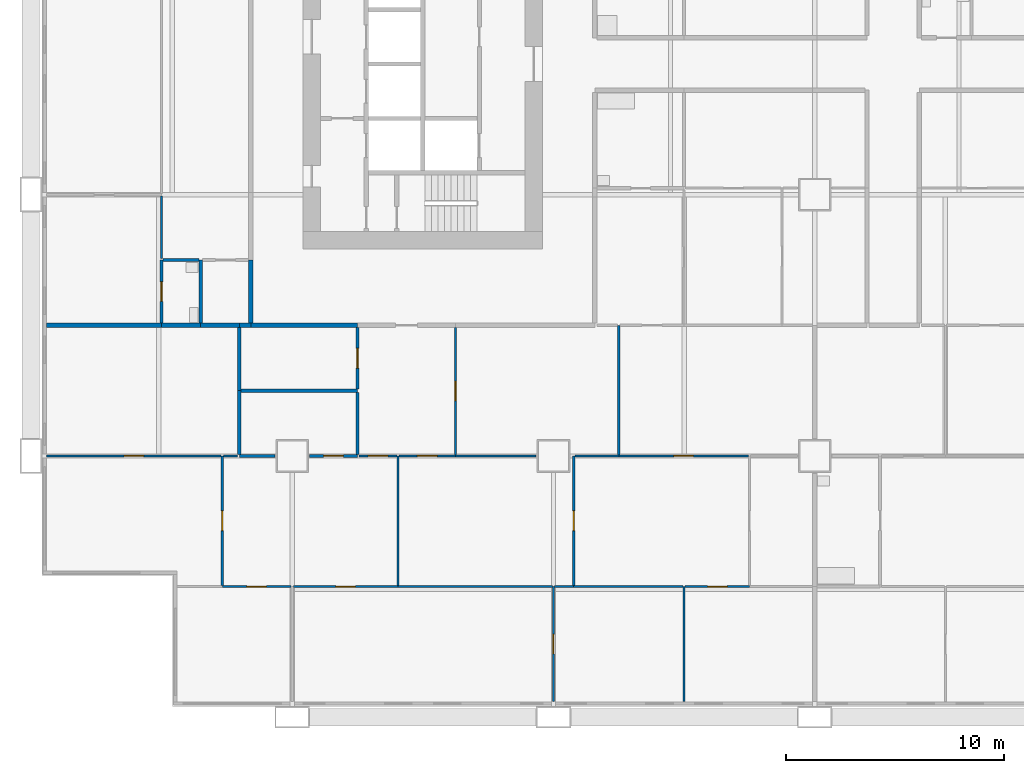
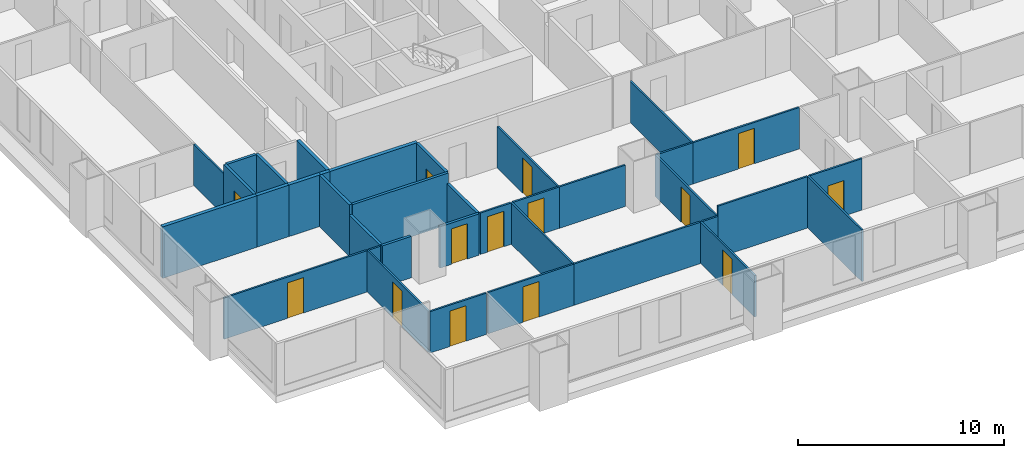
# One storey, part 2 of 14: 37 walls, 14 doors, 14 openings.
"""IFC4 building model written with IfcOpenShell, lengths in metres."""

from ifc_helpers import new_model, si_unit, direction, frame, frame_2d, origin, place, context, subcontext, project, spatial, rectangle, extrude, material, layer, layer_set, type_object, element, fill, save


model = new_model("IFC4")

# Units and contexts
model_context = context("Model", 3, precision=1e-05, world=origin(), true_north=direction((0.0, 1.0)))
body_context = subcontext(model_context, "Body", "Model", "MODEL_VIEW")
ifc_project = project(units=[si_unit("LENGTHUNIT", "METRE"), si_unit("AREAUNIT", "SQUARE_METRE"), si_unit("VOLUMEUNIT", "CUBIC_METRE"), si_unit("PLANEANGLEUNIT", "RADIAN"), si_unit("MASSUNIT", "GRAM", prefix="KILO")], contexts=[model_context])

# Site, building, storey
site_placement = place(None, origin())
site = spatial("IfcSite", under=ifc_project, at=site_placement, CompositionType="ELEMENT")
building_placement = place(site_placement, origin())
building = spatial("IfcBuilding", under=site, at=building_placement, Name="Kitamizu Gate Tower and Museum", CompositionType="ELEMENT")
storey_placement = place(building_placement, frame((0.0, 0.0, 85.199951171875)))
storey = spatial("IfcBuildingStorey", under=building, at=storey_placement, Name="L21", CompositionType="ELEMENT", Elevation=85.199951171875)

# Wall, opening, door
ifc_material_1 = material(Name="Gypsum board on galvanised stud")
ifc_layer_1 = layer(ifc_material_1, 0.10009765625)
ifc_layer_set_1 = layer_set([ifc_layer_1], Name="Gypsum board on galvanised stud")
wall_type_1 = type_object("IfcWallType", Name="Partition 100 NOT RATED", PredefinedType="PARTITIONING", material=ifc_layer_set_1)
wall_1_placement = place(storey_placement, frame((11.949951171875, 6.0, 0.0), z_axis=(0.0, 0.0, 1.0), x_axis=(-1.0, 0.0, 0.0)))
wall_1 = element("IfcWall", 1, at=wall_1_placement, inside=storey, type_object=wall_type_1, Name="Partition L21-003", PredefinedType="PARTITIONING", context=body_context, shape_type="SweptSolid", body=[
    extrude(rectangle(XDim=3.159912109375, YDim=0.10009765625, at=frame_2d((1.580078125, 0.0))), origin(), (0.0, 0.0, 1.0), 2.449951171875),
])
opening_1_placement = place(wall_1_placement, frame((1.1298828125, 0.0, 0.0)))
opening_1 = element("IfcOpeningElement", 2, at=opening_1_placement, cuts=wall_1, Name="Opening L21-004", PredefinedType="OPENING", context=body_context, shape_type="SweptSolid", body=[
    extrude(rectangle(XDim=0.89990234375, YDim=2.10009765625, at=frame_2d((0.449951171875, 1.050048828125))), frame((0.0, 0.06005859375, 0.0), z_axis=(0.0, -1.0, 0.0), x_axis=(1.0, 0.0, 0.0)), (0.0, 0.0, 1.0), 0.1201171875),
])
ifc_material_2 = material(Name="Timber door set", Category="wood")
door_type_1 = type_object("IfcDoorType", Name="Room door 900", OperationType="NOTDEFINED", PredefinedType="DOOR", material=ifc_material_2)
door_1_placement = place(opening_1_placement, origin())
door_1 = element("IfcDoor", 3, at=door_1_placement, inside=storey, type_object=door_type_1, Name="Door L21-004", OperationType="SINGLE_SWING_RIGHT", OverallHeight=2.10009765625, OverallWidth=0.89990234375, PredefinedType="DOOR", context=body_context, shape_type="SweptSolid", body=[
    extrude(rectangle(XDim=0.89990234375, YDim=2.10009765625, at=frame_2d((0.449951171875, 1.050048828125))), frame((0.0, 0.02490234375, 0.0), z_axis=(0.0, -1.0, 0.0), x_axis=(1.0, 0.0, 0.0)), (0.0, 0.0, 1.0), 0.050048828125),
])
fill(opening_1, door_1)

wall_2_placement = place(storey_placement, frame((24.0, 0.719970703125, 0.0), z_axis=(0.0, 0.0, 1.0), x_axis=(0.0, 1.0, 0.0)))
wall_2 = element("IfcWall", 4, at=wall_2_placement, inside=storey, type_object=wall_type_1, Name="Partition L21-004", PredefinedType="PARTITIONING", context=body_context, shape_type="SweptSolid", body=[
    extrude(rectangle(XDim=5.280029296875, YDim=0.10009765625, at=frame_2d((2.64013671875, 0.0))), origin(), (0.0, 0.0, 1.0), 2.449951171875),
])
opening_2_placement = place(wall_2_placement, frame((2.18994140625, 0.0, 0.0)))
opening_2 = element("IfcOpeningElement", 5, at=opening_2_placement, cuts=wall_2, Name="Opening L21-008", PredefinedType="OPENING", context=body_context, shape_type="SweptSolid", body=[
    extrude(rectangle(XDim=0.89990234375, YDim=2.10009765625, at=frame_2d((0.449951171875, 1.050048828125))), frame((0.0, 0.06005859375, 0.0), z_axis=(0.0, -1.0, 0.0), x_axis=(1.0, 0.0, 0.0)), (0.0, 0.0, 1.0), 0.1201171875),
])
door_2_placement = place(opening_2_placement, frame((0.89990234375, 0.0, 0.0), x_axis=(-1.0, 0.0, 0.0)))
door_2 = element("IfcDoor", 6, at=door_2_placement, inside=storey, type_object=door_type_1, Name="Door L21-008", OperationType="SINGLE_SWING_LEFT", OverallHeight=2.10009765625, OverallWidth=0.89990234375, PredefinedType="DOOR", context=body_context, shape_type="SweptSolid", body=[
    extrude(rectangle(XDim=0.89990234375, YDim=2.10009765625, at=frame_2d((0.449951171875, 1.050048828125))), frame((0.0, 0.02490234375, 0.0), z_axis=(0.0, -1.0, 0.0), x_axis=(1.0, 0.0, 0.0)), (0.0, 0.0, 1.0), 0.050048828125),
])
fill(opening_2, door_2)

wall_3_placement = place(storey_placement, frame((16.860107421875, 6.0, 0.0), z_axis=(0.0, 0.0, 1.0), x_axis=(-1.0, 0.0, 0.0)))
wall_3 = element("IfcWall", 7, at=wall_3_placement, inside=storey, type_object=wall_type_1, Name="Partition L21-005", PredefinedType="PARTITIONING", context=body_context, shape_type="SweptSolid", body=[
    extrude(rectangle(XDim=4.81005859375, YDim=0.10009765625, at=frame_2d((2.405029296875, 0.0))), origin(), (0.0, 0.0, 1.0), 2.449951171875),
])
opening_3_placement = place(wall_3_placement, frame((1.955078125, 0.0, 0.0)))
opening_3 = element("IfcOpeningElement", 8, at=opening_3_placement, cuts=wall_3, Name="Opening L21-005", PredefinedType="OPENING", context=body_context, shape_type="SweptSolid", body=[
    extrude(rectangle(XDim=0.89990234375, YDim=2.10009765625, at=frame_2d((0.449951171875, 1.050048828125))), frame((0.0, 0.06005859375, 0.0), z_axis=(0.0, -1.0, 0.0), x_axis=(1.0, 0.0, 0.0)), (0.0, 0.0, 1.0), 0.1201171875),
])
door_3_placement = place(opening_3_placement, frame((0.89990234375, 0.0, 0.0), x_axis=(-1.0, 0.0, 0.0)))
door_3 = element("IfcDoor", 9, at=door_3_placement, inside=storey, type_object=door_type_1, Name="Door L21-005", OperationType="SINGLE_SWING_RIGHT", OverallHeight=2.10009765625, OverallWidth=0.89990234375, PredefinedType="DOOR", context=body_context, shape_type="SweptSolid", body=[
    extrude(rectangle(XDim=0.89990234375, YDim=2.10009765625, at=frame_2d((0.449951171875, 1.050048828125))), frame((0.0, 0.02490234375, 0.0), z_axis=(0.0, -1.0, 0.0), x_axis=(1.0, 0.0, 0.0)), (0.0, 0.0, 1.0), 0.050048828125),
])
fill(opening_3, door_3)

# Walls
wall_4_placement = place(storey_placement, frame((23.949951171875, 6.0, 0.0), z_axis=(0.0, 0.0, 1.0), x_axis=(-1.0, 0.0, 0.0)))
element("IfcWall", 10, at=wall_4_placement, inside=storey, type_object=wall_type_1, Name="Partition L21-006", PredefinedType="PARTITIONING", context=body_context, shape_type="SweptSolid", body=[
    extrude(rectangle(XDim=7.08984375, YDim=0.10009765625, at=frame_2d((3.544921875, 0.0))), origin(), (0.0, 0.0, 1.0), 2.449951171875),
])
wall_5_placement = place(storey_placement, frame((30.0, 0.719970703125, 0.0), z_axis=(0.0, 0.0, 1.0), x_axis=(0.0, 1.0, 0.0)))
element("IfcWall", 11, at=wall_5_placement, inside=storey, type_object=wall_type_1, Name="Partition L21-007", PredefinedType="PARTITIONING", context=body_context, shape_type="SweptSolid", body=[
    extrude(rectangle(XDim=5.280029296875, YDim=0.10009765625, at=frame_2d((2.64013671875, 0.0))), origin(), (0.0, 0.0, 1.0), 3.050048828125),
])
wall_6_placement = place(storey_placement, frame((24.929931640625, 6.0, 0.0), z_axis=(0.0, 0.0, 1.0), x_axis=(-1.0, 0.0, 0.0)))
element("IfcWall", 12, at=wall_6_placement, inside=storey, type_object=wall_type_1, Name="Partition L21-008", PredefinedType="PARTITIONING", context=body_context, shape_type="SweptSolid", body=[
    extrude(rectangle(XDim=0.8798828125, YDim=0.10009765625, at=frame_2d((0.43994140625, 0.0))), origin(), (0.0, 0.0, 1.0), 2.449951171875),
])
wall_7_placement = place(storey_placement, frame((29.949951171875, 6.0, 0.0), z_axis=(0.0, 0.0, 1.0), x_axis=(-1.0, 0.0, 0.0)))
element("IfcWall", 13, at=wall_7_placement, inside=storey, type_object=wall_type_1, Name="Partition L21-009", PredefinedType="PARTITIONING", context=body_context, shape_type="SweptSolid", body=[
    extrude(rectangle(XDim=5.02001953125, YDim=0.10009765625, at=frame_2d((2.510009765625, 0.0))), origin(), (0.0, 0.0, 1.0), 3.050048828125),
])

# Wall, opening, door
wall_8_placement = place(storey_placement, frame((33.0, 6.0, 0.0), z_axis=(0.0, 0.0, 1.0), x_axis=(-1.0, 0.0, 0.0)))
wall_8 = element("IfcWall", 14, at=wall_8_placement, inside=storey, type_object=wall_type_1, Name="Partition L21-010", PredefinedType="PARTITIONING", context=body_context, shape_type="SweptSolid", body=[
    extrude(rectangle(XDim=2.949951171875, YDim=0.10009765625, at=frame_2d((1.47509765625, 0.0))), origin(), (0.0, 0.0, 1.0), 3.050048828125),
])
opening_4_placement = place(wall_8_placement, frame((1.02490234375, 0.0, 0.0)))
opening_4 = element("IfcOpeningElement", 15, at=opening_4_placement, cuts=wall_8, Name="Opening L21-009", PredefinedType="OPENING", context=body_context, shape_type="SweptSolid", body=[
    extrude(rectangle(XDim=0.89990234375, YDim=2.10009765625, at=frame_2d((0.449951171875, 1.050048828125))), frame((0.0, 0.06005859375, 0.0), z_axis=(0.0, -1.0, 0.0), x_axis=(1.0, 0.0, 0.0)), (0.0, 0.0, 1.0), 0.1201171875),
])
door_4_placement = place(opening_4_placement, origin())
door_4 = element("IfcDoor", 16, at=door_4_placement, inside=storey, type_object=door_type_1, Name="Door L21-009", OperationType="SINGLE_SWING_LEFT", OverallHeight=2.10009765625, OverallWidth=0.89990234375, PredefinedType="DOOR", context=body_context, shape_type="SweptSolid", body=[
    extrude(rectangle(XDim=0.89990234375, YDim=2.10009765625, at=frame_2d((0.449951171875, 1.050048828125))), frame((0.0, 0.02490234375, 0.0), z_axis=(0.0, -1.0, 0.0), x_axis=(1.0, 0.0, 0.0)), (0.0, 0.0, 1.0), 0.050048828125),
])
fill(opening_4, door_4)

wall_9_placement = place(storey_placement, frame((8.7900390625, 6.050048828125, 0.0), z_axis=(0.0, 0.0, 1.0), x_axis=(0.0, 1.0, 0.0)))
wall_9 = element("IfcWall", 17, at=wall_9_placement, inside=storey, type_object=wall_type_1, Name="Partition L21-013", PredefinedType="PARTITIONING", context=body_context, shape_type="SweptSolid", body=[
    extrude(rectangle(XDim=5.949951171875, YDim=0.10009765625, at=frame_2d((2.97509765625, 0.0))), origin(), (0.0, 0.0, 1.0), 2.449951171875),
])
opening_5_placement = place(wall_9_placement, frame((2.52490234375, 0.0, 0.0)))
opening_5 = element("IfcOpeningElement", 18, at=opening_5_placement, cuts=wall_9, Name="Opening L21-006", PredefinedType="OPENING", context=body_context, shape_type="SweptSolid", body=[
    extrude(rectangle(XDim=0.89990234375, YDim=2.10009765625, at=frame_2d((0.449951171875, 1.050048828125))), frame((0.0, 0.06005859375, 0.0), z_axis=(0.0, -1.0, 0.0), x_axis=(1.0, 0.0, 0.0)), (0.0, 0.0, 1.0), 0.1201171875),
])
door_5_placement = place(opening_5_placement, frame((0.89990234375, 0.0, 0.0), x_axis=(-1.0, 0.0, 0.0)))
door_5 = element("IfcDoor", 19, at=door_5_placement, inside=storey, type_object=door_type_1, Name="Door L21-006", OperationType="SINGLE_SWING_LEFT", OverallHeight=2.10009765625, OverallWidth=0.89990234375, PredefinedType="DOOR", context=body_context, shape_type="SweptSolid", body=[
    extrude(rectangle(XDim=0.89990234375, YDim=2.10009765625, at=frame_2d((0.449951171875, 1.050048828125))), frame((0.0, 0.02490234375, 0.0), z_axis=(0.0, -1.0, 0.0), x_axis=(1.0, 0.0, 0.0)), (0.0, 0.0, 1.0), 0.050048828125),
])
fill(opening_5, door_5)

wall_10_placement = place(storey_placement, frame((8.739990234375, 12.0, 0.0), z_axis=(0.0, 0.0, 1.0), x_axis=(-1.0, 0.0, 0.0)))
wall_10 = element("IfcWall", 20, at=wall_10_placement, inside=storey, type_object=wall_type_1, Name="Partition L21-014", PredefinedType="PARTITIONING", context=body_context, shape_type="SweptSolid", body=[
    extrude(rectangle(XDim=8.02001953125, YDim=0.10009765625, at=frame_2d((4.010009765625, 0.0))), origin(), (0.0, 0.0, 1.0), 2.449951171875),
])
opening_6_placement = place(wall_10_placement, frame((3.56005859375, 0.0, 0.0)))
opening_6 = element("IfcOpeningElement", 21, at=opening_6_placement, cuts=wall_10, Name="Opening L21-011", PredefinedType="OPENING", context=body_context, shape_type="SweptSolid", body=[
    extrude(rectangle(XDim=0.89990234375, YDim=2.10009765625, at=frame_2d((0.449951171875, 1.050048828125))), frame((0.0, 0.06005859375, 0.0), z_axis=(0.0, -1.0, 0.0), x_axis=(1.0, 0.0, 0.0)), (0.0, 0.0, 1.0), 0.1201171875),
])
door_6_placement = place(opening_6_placement, frame((0.89990234375, 0.0, 0.0), x_axis=(-1.0, 0.0, 0.0)))
door_6 = element("IfcDoor", 22, at=door_6_placement, inside=storey, type_object=door_type_1, Name="Door L21-011", OperationType="SINGLE_SWING_LEFT", OverallHeight=2.10009765625, OverallWidth=0.89990234375, PredefinedType="DOOR", context=body_context, shape_type="SweptSolid", body=[
    extrude(rectangle(XDim=0.89990234375, YDim=2.10009765625, at=frame_2d((0.449951171875, 1.050048828125))), frame((0.0, 0.02490234375, 0.0), z_axis=(0.0, -1.0, 0.0), x_axis=(1.0, 0.0, 0.0)), (0.0, 0.0, 1.0), 0.050048828125),
])
fill(opening_6, door_6)

# Walls
wall_11_placement = place(storey_placement, frame((16.860107421875, 6.050048828125, 0.0), z_axis=(0.0, 0.0, 1.0), x_axis=(0.0, 1.0, 0.0)))
element("IfcWall", 23, at=wall_11_placement, inside=storey, type_object=wall_type_1, Name="Partition L21-015", PredefinedType="PARTITIONING", context=body_context, shape_type="SweptSolid", body=[
    extrude(rectangle(XDim=5.949951171875, YDim=0.10009765625, at=frame_2d((2.97509765625, 0.0))), origin(), (0.0, 0.0, 1.0), 2.449951171875),
])
wall_12_placement = place(storey_placement, frame((9.4990234375, 12.0, 0.0), z_axis=(0.0, 0.0, 1.0), x_axis=(-1.0, 0.0, 0.0)))
element("IfcWall", 24, at=wall_12_placement, inside=storey, type_object=wall_type_1, Name="Partition L21-016", PredefinedType="PARTITIONING", context=body_context, shape_type="SweptSolid", body=[
    extrude(rectangle(XDim=0.658935546875, YDim=0.10009765625, at=frame_2d((0.32958984375, 0.0))), origin(), (0.0, 0.0, 1.0), 2.449951171875),
])

# Wall, opening, door
wall_13_placement = place(storey_placement, frame((16.81005859375, 12.0, 0.0), z_axis=(0.0, 0.0, 1.0), x_axis=(-1.0, 0.0, 0.0)))
wall_13 = element("IfcWall", 25, at=wall_13_placement, inside=storey, type_object=wall_type_1, Name="Partition L21-019", PredefinedType="PARTITIONING", context=body_context, shape_type="SweptSolid", body=[
    extrude(rectangle(XDim=1.735107421875, YDim=0.10009765625, at=frame_2d((0.86767578125, 0.0))), origin(), (0.0, 0.0, 1.0), 2.449951171875),
])
opening_7_placement = place(wall_13_placement, frame((0.41748046875, 0.0, 0.0)))
opening_7 = element("IfcOpeningElement", 26, at=opening_7_placement, cuts=wall_13, Name="Opening L21-002", PredefinedType="OPENING", context=body_context, shape_type="SweptSolid", body=[
    extrude(rectangle(XDim=0.89990234375, YDim=2.10009765625, at=frame_2d((0.449951171875, 1.050048828125))), frame((0.0, 0.06005859375, 0.0), z_axis=(0.0, -1.0, 0.0), x_axis=(1.0, 0.0, 0.0)), (0.0, 0.0, 1.0), 0.1201171875),
])
door_7_placement = place(opening_7_placement, origin())
door_7 = element("IfcDoor", 27, at=door_7_placement, inside=storey, type_object=door_type_1, Name="Door L21-002", OperationType="SINGLE_SWING_RIGHT", OverallHeight=2.10009765625, OverallWidth=0.89990234375, PredefinedType="DOOR", context=body_context, shape_type="SweptSolid", body=[
    extrude(rectangle(XDim=0.89990234375, YDim=2.10009765625, at=frame_2d((0.449951171875, 1.050048828125))), frame((0.0, 0.02490234375, 0.0), z_axis=(0.0, -1.0, 0.0), x_axis=(1.0, 0.0, 0.0)), (0.0, 0.0, 1.0), 0.050048828125),
])
fill(opening_7, door_7)

wall_14_placement = place(storey_placement, frame((24.929931640625, 6.050048828125, 0.0), z_axis=(0.0, 0.0, 1.0), x_axis=(0.0, 1.0, 0.0)))
wall_14 = element("IfcWall", 28, at=wall_14_placement, inside=storey, type_object=wall_type_1, Name="Partition L21-020", PredefinedType="PARTITIONING", context=body_context, shape_type="SweptSolid", body=[
    extrude(rectangle(XDim=5.949951171875, YDim=0.10009765625, at=frame_2d((2.97509765625, 0.0))), origin(), (0.0, 0.0, 1.0), 2.449951171875),
])
opening_8_placement = place(wall_14_placement, frame((2.52490234375, 0.0, 0.0)))
opening_8 = element("IfcOpeningElement", 29, at=opening_8_placement, cuts=wall_14, Name="Opening L21-007", PredefinedType="OPENING", context=body_context, shape_type="SweptSolid", body=[
    extrude(rectangle(XDim=0.89990234375, YDim=2.10009765625, at=frame_2d((0.449951171875, 1.050048828125))), frame((0.0, 0.06005859375, 0.0), z_axis=(0.0, -1.0, 0.0), x_axis=(1.0, 0.0, 0.0)), (0.0, 0.0, 1.0), 0.1201171875),
])
door_8_placement = place(opening_8_placement, origin())
door_8 = element("IfcDoor", 30, at=door_8_placement, inside=storey, type_object=door_type_1, Name="Door L21-007", OperationType="SINGLE_SWING_LEFT", OverallHeight=2.10009765625, OverallWidth=0.89990234375, PredefinedType="DOOR", context=body_context, shape_type="SweptSolid", body=[
    extrude(rectangle(XDim=0.89990234375, YDim=2.10009765625, at=frame_2d((0.449951171875, 1.050048828125))), frame((0.0, 0.02490234375, 0.0), z_axis=(0.0, -1.0, 0.0), x_axis=(1.0, 0.0, 0.0)), (0.0, 0.0, 1.0), 0.050048828125),
])
fill(opening_8, door_8)

wall_15_placement = place(storey_placement, frame((19.5, 12.0, 0.0), z_axis=(0.0, 0.0, 1.0), x_axis=(-1.0, 0.0, 0.0)))
wall_15 = element("IfcWall", 31, at=wall_15_placement, inside=storey, type_object=wall_type_1, Name="Partition L21-021", PredefinedType="PARTITIONING", context=body_context, shape_type="SweptSolid", body=[
    extrude(rectangle(XDim=2.590087890625, YDim=0.10009765625, at=frame_2d((1.294921875, 0.0))), origin(), (0.0, 0.0, 1.0), 2.449951171875),
])
opening_9_placement = place(wall_15_placement, frame((0.844970703125, 0.0, 0.0)))
opening_9 = element("IfcOpeningElement", 32, at=opening_9_placement, cuts=wall_15, Name="Opening L21-003", PredefinedType="OPENING", context=body_context, shape_type="SweptSolid", body=[
    extrude(rectangle(XDim=0.89990234375, YDim=2.10009765625, at=frame_2d((0.449951171875, 1.050048828125))), frame((0.0, 0.06005859375, 0.0), z_axis=(0.0, -1.0, 0.0), x_axis=(1.0, 0.0, 0.0)), (0.0, 0.0, 1.0), 0.1201171875),
])
door_9_placement = place(opening_9_placement, origin())
door_9 = element("IfcDoor", 33, at=door_9_placement, inside=storey, type_object=door_type_1, Name="Door L21-003", OperationType="SINGLE_SWING_LEFT", OverallHeight=2.10009765625, OverallWidth=0.89990234375, PredefinedType="DOOR", context=body_context, shape_type="SweptSolid", body=[
    extrude(rectangle(XDim=0.89990234375, YDim=2.10009765625, at=frame_2d((0.449951171875, 1.050048828125))), frame((0.0, 0.02490234375, 0.0), z_axis=(0.0, -1.0, 0.0), x_axis=(1.0, 0.0, 0.0)), (0.0, 0.0, 1.0), 0.050048828125),
])
fill(opening_9, door_9)

# Walls
wall_16_placement = place(storey_placement, frame((23.199951171875, 12.0, 0.0), z_axis=(0.0, 0.0, 1.0), x_axis=(-1.0, 0.0, 0.0)))
element("IfcWall", 34, at=wall_16_placement, inside=storey, type_object=wall_type_1, Name="Partition L21-022", PredefinedType="PARTITIONING", context=body_context, shape_type="SweptSolid", body=[
    extrude(rectangle(XDim=3.699951171875, YDim=0.10009765625, at=frame_2d((1.85009765625, 0.0))), origin(), (0.0, 0.0, 1.0), 2.449951171875),
])
wall_17_placement = place(storey_placement, frame((27.0, 12.0, 0.0), z_axis=(0.0, 0.0, 1.0), x_axis=(-1.0, 0.0, 0.0)))
element("IfcWall", 35, at=wall_17_placement, inside=storey, type_object=wall_type_1, Name="Partition L21-024", PredefinedType="PARTITIONING", context=body_context, shape_type="SweptSolid", body=[
    extrude(rectangle(XDim=2.02001953125, YDim=0.10009765625, at=frame_2d((1.010009765625, 0.0))), origin(), (0.0, 0.0, 1.0), 2.449951171875),
])

# Wall, opening, door
wall_18_placement = place(storey_placement, frame((32.949951171875, 12.0, 0.0), z_axis=(0.0, 0.0, 1.0), x_axis=(-1.0, 0.0, 0.0)))
wall_18 = element("IfcWall", 36, at=wall_18_placement, inside=storey, type_object=wall_type_1, Name="Partition L21-025", PredefinedType="PARTITIONING", context=body_context, shape_type="SweptSolid", body=[
    extrude(rectangle(XDim=5.949951171875, YDim=0.10009765625, at=frame_2d((2.97509765625, 0.0))), origin(), (0.0, 0.0, 1.0), 2.449951171875),
])
opening_10_placement = place(wall_18_placement, frame((2.52490234375, 0.0, 0.0)))
opening_10 = element("IfcOpeningElement", 37, at=opening_10_placement, cuts=wall_18, Name="Opening L21-015", PredefinedType="OPENING", context=body_context, shape_type="SweptSolid", body=[
    extrude(rectangle(XDim=0.89990234375, YDim=2.10009765625, at=frame_2d((0.449951171875, 1.050048828125))), frame((0.0, 0.06005859375, 0.0), z_axis=(0.0, -1.0, 0.0), x_axis=(1.0, 0.0, 0.0)), (0.0, 0.0, 1.0), 0.1201171875),
])
door_10_placement = place(opening_10_placement, origin())
door_10 = element("IfcDoor", 38, at=door_10_placement, inside=storey, type_object=door_type_1, Name="Door L21-015", OperationType="SINGLE_SWING_RIGHT", OverallHeight=2.10009765625, OverallWidth=0.89990234375, PredefinedType="DOOR", context=body_context, shape_type="SweptSolid", body=[
    extrude(rectangle(XDim=0.89990234375, YDim=2.10009765625, at=frame_2d((0.449951171875, 1.050048828125))), frame((0.0, 0.02490234375, 0.0), z_axis=(0.0, -1.0, 0.0), x_axis=(1.0, 0.0, 0.0)), (0.0, 0.0, 1.0), 0.050048828125),
])
fill(opening_10, door_10)

wall_19_placement = place(storey_placement, frame((19.5, 12.050048828125, 0.0), z_axis=(0.0, 0.0, 1.0), x_axis=(0.0, 1.0, 0.0)))
wall_19 = element("IfcWall", 39, at=wall_19_placement, inside=storey, type_object=wall_type_1, Name="Partition L21-038", PredefinedType="PARTITIONING", context=body_context, shape_type="SweptSolid", body=[
    extrude(rectangle(XDim=5.849853515625, YDim=0.10009765625, at=frame_2d((2.9248046875, 0.0))), origin(), (0.0, 0.0, 1.0), 2.449951171875),
])
opening_11_placement = place(wall_19_placement, frame((2.47509765625, 0.0, 0.0)))
opening_11 = element("IfcOpeningElement", 40, at=opening_11_placement, cuts=wall_19, Name="Opening L21-014", PredefinedType="OPENING", context=body_context, shape_type="SweptSolid", body=[
    extrude(rectangle(XDim=0.89990234375, YDim=2.10009765625, at=frame_2d((0.449951171875, 1.050048828125))), frame((0.0, 0.06005859375, 0.0), z_axis=(0.0, -1.0, 0.0), x_axis=(1.0, 0.0, 0.0)), (0.0, 0.0, 1.0), 0.1201171875),
])
door_11_placement = place(opening_11_placement, frame((0.89990234375, 0.0, 0.0), x_axis=(-1.0, 0.0, 0.0)))
door_11 = element("IfcDoor", 41, at=door_11_placement, inside=storey, type_object=door_type_1, Name="Door L21-014", OperationType="SINGLE_SWING_RIGHT", OverallHeight=2.10009765625, OverallWidth=0.89990234375, PredefinedType="DOOR", context=body_context, shape_type="SweptSolid", body=[
    extrude(rectangle(XDim=0.89990234375, YDim=2.10009765625, at=frame_2d((0.449951171875, 1.050048828125))), frame((0.0, 0.02490234375, 0.0), z_axis=(0.0, -1.0, 0.0), x_axis=(1.0, 0.0, 0.0)), (0.0, 0.0, 1.0), 0.050048828125),
])
fill(opening_11, door_11)

# Walls
wall_20_placement = place(storey_placement, frame((27.0, 12.050048828125, 0.0), z_axis=(0.0, 0.0, 1.0), x_axis=(0.0, 1.0, 0.0)))
element("IfcWall", 42, at=wall_20_placement, inside=storey, type_object=wall_type_1, Name="Partition L21-040", PredefinedType="PARTITIONING", context=body_context, shape_type="SweptSolid", body=[
    extrude(rectangle(XDim=5.949951171875, YDim=0.10009765625, at=frame_2d((2.97509765625, 0.0))), origin(), (0.0, 0.0, 1.0), 2.449951171875),
])
wall_21_placement = place(storey_placement, frame((6.0, 21.074951171875, 0.0), z_axis=(0.0, 0.0, 1.0), x_axis=(0.0, 1.0, 0.0)))
element("IfcWall", 43, at=wall_21_placement, inside=storey, type_object=wall_type_1, Name="Partition L21-065", PredefinedType="PARTITIONING", context=body_context, shape_type="SweptSolid", body=[
    extrude(rectangle(XDim=2.875, YDim=0.10009765625, at=frame_2d((1.4375, 0.0))), origin(), (0.0, 0.0, 1.0), 2.449951171875),
])
ifc_material_3 = material(Name="Gypsum board on galvanised stud")
ifc_layer_2 = layer(ifc_material_3, 0.14990234375)
ifc_layer_set_2 = layer_set([ifc_layer_2], Name="Gypsum board on galvanised stud")
wall_type_2 = type_object("IfcWallType", Name="Partition 150", PredefinedType="PARTITIONING", material=ifc_layer_set_2)
wall_22_placement = place(storey_placement, frame((11.199951171875, 12.0, 0.0), z_axis=(0.0, 0.0, 1.0), x_axis=(-1.0, 0.0, 0.0)))
element("IfcWall", 44, at=wall_22_placement, inside=storey, type_object=wall_type_2, Name="Partition L21-017", PredefinedType="PARTITIONING", context=body_context, shape_type="SweptSolid", body=[
    extrude(rectangle(XDim=1.6259765625, YDim=0.14990234375, at=frame_2d((0.81298828125, 0.0))), origin(), (0.0, 0.0, 1.0), 2.449951171875),
])

# Wall, opening, door
wall_23_placement = place(storey_placement, frame((15.0, 12.0, 0.0), z_axis=(0.0, 0.0, 1.0), x_axis=(-1.0, 0.0, 0.0)))
wall_23 = element("IfcWall", 45, at=wall_23_placement, inside=storey, type_object=wall_type_2, Name="Partition L21-018", PredefinedType="PARTITIONING", context=body_context, shape_type="SweptSolid", body=[
    extrude(rectangle(XDim=2.199951171875, YDim=0.14990234375, at=frame_2d((1.10009765625, 0.0))), origin(), (0.0, 0.0, 1.0), 2.449951171875),
])
opening_12_placement = place(wall_23_placement, frame((0.64990234375, 0.0, 0.0)))
opening_12 = element("IfcOpeningElement", 46, at=opening_12_placement, cuts=wall_23, Name="Opening L21-012", PredefinedType="OPENING", context=body_context, shape_type="SweptSolid", body=[
    extrude(rectangle(XDim=0.89990234375, YDim=2.10009765625, at=frame_2d((0.449951171875, 1.050048828125))), frame((0.0, 0.0849609375, 0.0), z_axis=(0.0, -1.0, 0.0), x_axis=(1.0, 0.0, 0.0)), (0.0, 0.0, 1.0), 0.169921875),
])
ifc_material_4 = material(Name="Timber door set", Category="wood")
door_type_2 = type_object("IfcDoorType", Name="Bathroom door 900", OperationType="NOTDEFINED", PredefinedType="DOOR", material=ifc_material_4)
door_12_placement = place(opening_12_placement, frame((0.89990234375, 0.0, 0.0), x_axis=(-1.0, 0.0, 0.0)))
door_12 = element("IfcDoor", 47, at=door_12_placement, inside=storey, type_object=door_type_2, Name="Bathroom door L21-012", OperationType="SINGLE_SWING_RIGHT", OverallHeight=2.10009765625, OverallWidth=0.89990234375, PredefinedType="DOOR", context=body_context, shape_type="SweptSolid", body=[
    extrude(rectangle(XDim=0.89990234375, YDim=2.10009765625, at=frame_2d((0.449951171875, 1.050048828125))), frame((0.0, 0.02490234375, 0.0), z_axis=(0.0, -1.0, 0.0), x_axis=(1.0, 0.0, 0.0)), (0.0, 0.0, 1.0), 0.050048828125),
])
fill(opening_12, door_12)

# Walls
wall_24_placement = place(storey_placement, frame((9.573974609375, 12.074951171875, 0.0), z_axis=(0.0, 0.0, 1.0), x_axis=(0.0, 1.0, 0.0)))
element("IfcWall", 48, at=wall_24_placement, inside=storey, type_object=wall_type_2, Name="Partition L21-028", PredefinedType="PARTITIONING", context=body_context, shape_type="SweptSolid", body=[
    extrude(rectangle(XDim=2.925048828125, YDim=0.14990234375, at=frame_2d((1.46240234375, 0.0))), origin(), (0.0, 0.0, 1.0), 2.449951171875),
])
wall_25_placement = place(storey_placement, frame((9.573974609375, 15.0, 0.0), z_axis=(0.0, 0.0, 1.0), x_axis=(0.0, 1.0, 0.0)))
element("IfcWall", 49, at=wall_25_placement, inside=storey, type_object=wall_type_2, Name="Partition L21-029", PredefinedType="PARTITIONING", context=body_context, shape_type="SweptSolid", body=[
    extrude(rectangle(XDim=2.89990234375, YDim=0.14990234375, at=frame_2d((1.449951171875, 0.0))), origin(), (0.0, 0.0, 1.0), 3.050048828125),
])
wall_26_placement = place(storey_placement, frame((15.0, 15.0, 0.0), z_axis=(0.0, 0.0, 1.0), x_axis=(-1.0, 0.0, 0.0)))
element("IfcWall", 50, at=wall_26_placement, inside=storey, type_object=wall_type_2, Name="Partition L21-033", PredefinedType="PARTITIONING", context=body_context, shape_type="SweptSolid", body=[
    extrude(rectangle(XDim=5.35107421875, YDim=0.14990234375, at=frame_2d((2.675537109375, 0.0))), origin(), (0.0, 0.0, 1.0), 3.050048828125),
])
wall_27_placement = place(storey_placement, frame((15.0, 12.074951171875, 0.0), z_axis=(0.0, 0.0, 1.0), x_axis=(0.0, 1.0, 0.0)))
element("IfcWall", 51, at=wall_27_placement, inside=storey, type_object=wall_type_2, Name="Partition L21-034", PredefinedType="PARTITIONING", context=body_context, shape_type="SweptSolid", body=[
    extrude(rectangle(XDim=2.85009765625, YDim=0.14990234375, at=frame_2d((1.425048828125, 0.0))), origin(), (0.0, 0.0, 1.0), 2.449951171875),
])

# Wall, opening, door
wall_28_placement = place(storey_placement, frame((15.0, 15.074951171875, 0.0), z_axis=(0.0, 0.0, 1.0), x_axis=(0.0, 1.0, 0.0)))
wall_28 = element("IfcWall", 52, at=wall_28_placement, inside=storey, type_object=wall_type_2, Name="Partition L21-035", PredefinedType="PARTITIONING", context=body_context, shape_type="SweptSolid", body=[
    extrude(rectangle(XDim=2.824951171875, YDim=0.14990234375, at=frame_2d((1.41259765625, 0.0))), origin(), (0.0, 0.0, 1.0), 3.050048828125),
])
opening_13_placement = place(wall_28_placement, frame((0.96240234375, 0.0, 0.0)))
opening_13 = element("IfcOpeningElement", 53, at=opening_13_placement, cuts=wall_28, Name="Opening L21-013", PredefinedType="OPENING", context=body_context, shape_type="SweptSolid", body=[
    extrude(rectangle(XDim=0.89990234375, YDim=2.10009765625, at=frame_2d((0.449951171875, 1.050048828125))), frame((0.0, 0.0849609375, 0.0), z_axis=(0.0, -1.0, 0.0), x_axis=(1.0, 0.0, 0.0)), (0.0, 0.0, 1.0), 0.169921875),
])
door_13_placement = place(opening_13_placement, origin())
door_13 = element("IfcDoor", 54, at=door_13_placement, inside=storey, type_object=door_type_2, Name="Bathroom door L21-013", OperationType="SINGLE_SWING_RIGHT", OverallHeight=2.10009765625, OverallWidth=0.89990234375, PredefinedType="DOOR", context=body_context, shape_type="SweptSolid", body=[
    extrude(rectangle(XDim=0.89990234375, YDim=2.10009765625, at=frame_2d((0.449951171875, 1.050048828125))), frame((0.0, 0.02490234375, 0.0), z_axis=(0.0, -1.0, 0.0), x_axis=(1.0, 0.0, 0.0)), (0.0, 0.0, 1.0), 0.050048828125),
])
fill(opening_13, door_13)

wall_29_placement = place(storey_placement, frame((6.0, 18.10009765625, 0.0), z_axis=(0.0, 0.0, 1.0), x_axis=(0.0, 1.0, 0.0)))
wall_29 = element("IfcWall", 55, at=wall_29_placement, inside=storey, type_object=wall_type_2, Name="Partition L21-064", PredefinedType="PARTITIONING", context=body_context, shape_type="SweptSolid", body=[
    extrude(rectangle(XDim=2.89990234375, YDim=0.14990234375, at=frame_2d((1.449951171875, 0.0))), origin(), (0.0, 0.0, 1.0), 3.050048828125),
])
opening_14_placement = place(wall_29_placement, frame((1.0, 0.0, 0.0)))
opening_14 = element("IfcOpeningElement", 56, at=opening_14_placement, cuts=wall_29, Name="Opening L21-027", PredefinedType="OPENING", context=body_context, shape_type="SweptSolid", body=[
    extrude(rectangle(XDim=0.89990234375, YDim=2.10009765625, at=frame_2d((0.449951171875, 1.050048828125))), frame((0.0, 0.0849609375, 0.0), z_axis=(0.0, -1.0, 0.0), x_axis=(1.0, 0.0, 0.0)), (0.0, 0.0, 1.0), 0.169921875),
])
door_14_placement = place(opening_14_placement, frame((0.89990234375, 0.0, 0.0), x_axis=(-1.0, 0.0, 0.0)))
door_14 = element("IfcDoor", 57, at=door_14_placement, inside=storey, type_object=door_type_2, Name="Bathroom door L21-027", OperationType="SINGLE_SWING_RIGHT", OverallHeight=2.10009765625, OverallWidth=0.89990234375, PredefinedType="DOOR", context=body_context, shape_type="SweptSolid", body=[
    extrude(rectangle(XDim=0.89990234375, YDim=2.10009765625, at=frame_2d((0.449951171875, 1.050048828125))), frame((0.0, 0.02490234375, 0.0), z_axis=(0.0, -1.0, 0.0), x_axis=(1.0, 0.0, 0.0)), (0.0, 0.0, 1.0), 0.050048828125),
])
fill(opening_14, door_14)

# Walls
wall_30_placement = place(storey_placement, frame((7.800048828125, 18.10009765625, 0.0), z_axis=(0.0, 0.0, 1.0), x_axis=(0.0, 1.0, 0.0)))
element("IfcWall", 58, at=wall_30_placement, inside=storey, type_object=wall_type_2, Name="Partition L21-071", PredefinedType="PARTITIONING", context=body_context, shape_type="SweptSolid", body=[
    extrude(rectangle(XDim=2.89990234375, YDim=0.14990234375, at=frame_2d((1.449951171875, 0.0))), origin(), (0.0, 0.0, 1.0), 3.050048828125),
])
wall_31_placement = place(storey_placement, frame((7.72509765625, 21.0, 0.0), z_axis=(0.0, 0.0, 1.0), x_axis=(-1.0, 0.0, 0.0)))
element("IfcWall", 59, at=wall_31_placement, inside=storey, type_object=wall_type_2, Name="Partition L21-072", PredefinedType="PARTITIONING", context=body_context, shape_type="SweptSolid", body=[
    extrude(rectangle(XDim=1.650146484375, YDim=0.14990234375, at=frame_2d((0.8251953125, 0.0))), origin(), (0.0, 0.0, 1.0), 3.050048828125),
])
ifc_material_5 = material(Name="Gypsum board on galvanised stud")
ifc_layer_3 = layer(ifc_material_5, 0.199951171875)
ifc_layer_set_3 = layer_set([ifc_layer_3], Name="Gypsum board on galvanised stud")
wall_type_3 = type_object("IfcWallType", Name="Partition 200", PredefinedType="PARTITIONING", material=ifc_layer_set_3)
wall_32_placement = place(storey_placement, frame((6.0, 18.0, 0.0), z_axis=(0.0, 0.0, 1.0), x_axis=(-1.0, 0.0, 0.0)))
element("IfcWall", 60, at=wall_32_placement, inside=storey, type_object=wall_type_3, Name="Partition L21-030", PredefinedType="PARTITIONING", context=body_context, shape_type="SweptSolid", body=[
    extrude(rectangle(XDim=5.280029296875, YDim=0.199951171875, at=frame_2d((2.64013671875, 0.0))), origin(), (0.0, 0.0, 1.0), 3.050048828125),
])
wall_33_placement = place(storey_placement, frame((7.800048828125, 18.0, 0.0), z_axis=(0.0, 0.0, 1.0), x_axis=(-1.0, 0.0, 0.0)))
element("IfcWall", 61, at=wall_33_placement, inside=storey, type_object=wall_type_3, Name="Partition L21-031", PredefinedType="PARTITIONING", context=body_context, shape_type="SweptSolid", body=[
    extrude(rectangle(XDim=1.800048828125, YDim=0.199951171875, at=frame_2d((0.89990234375, 0.0))), origin(), (0.0, 0.0, 1.0), 3.050048828125),
])
wall_34_placement = place(storey_placement, frame((9.573974609375, 18.0, 0.0), z_axis=(0.0, 0.0, 1.0), x_axis=(-1.0, 0.0, 0.0)))
element("IfcWall", 62, at=wall_34_placement, inside=storey, type_object=wall_type_3, Name="Partition L21-032", PredefinedType="PARTITIONING", context=body_context, shape_type="SweptSolid", body=[
    extrude(rectangle(XDim=1.77392578125, YDim=0.199951171875, at=frame_2d((0.886962890625, 0.0))), origin(), (0.0, 0.0, 1.0), 3.050048828125),
])
wall_35_placement = place(storey_placement, frame((10.10009765625, 18.0, 0.0), z_axis=(0.0, 0.0, 1.0), x_axis=(-1.0, 0.0, 0.0)))
element("IfcWall", 63, at=wall_35_placement, inside=storey, type_object=wall_type_3, Name="Partition L21-036", PredefinedType="PARTITIONING", context=body_context, shape_type="SweptSolid", body=[
    extrude(rectangle(XDim=0.526123046875, YDim=0.199951171875, at=frame_2d((0.26318359375, 0.0))), origin(), (0.0, 0.0, 1.0), 3.050048828125),
])
wall_36_placement = place(storey_placement, frame((15.0, 18.0, 0.0), z_axis=(0.0, 0.0, 1.0), x_axis=(-1.0, 0.0, 0.0)))
element("IfcWall", 64, at=wall_36_placement, inside=storey, type_object=wall_type_3, Name="Partition L21-037", PredefinedType="PARTITIONING", context=body_context, shape_type="SweptSolid", body=[
    extrude(rectangle(XDim=4.89990234375, YDim=0.199951171875, at=frame_2d((2.449951171875, 0.0))), origin(), (0.0, 0.0, 1.0), 3.050048828125),
])
wall_37_placement = place(storey_placement, frame((10.10009765625, 18.10009765625, 0.0), z_axis=(0.0, 0.0, 1.0), x_axis=(0.0, 1.0, 0.0)))
element("IfcWall", 65, at=wall_37_placement, inside=storey, type_object=wall_type_3, Name="Partition L21-074", PredefinedType="PARTITIONING", context=body_context, shape_type="SweptSolid", body=[
    extrude(rectangle(XDim=2.89990234375, YDim=0.199951171875, at=frame_2d((1.449951171875, 0.0))), origin(), (0.0, 0.0, 1.0), 3.050048828125),
])

save(model, "model.ifc")
